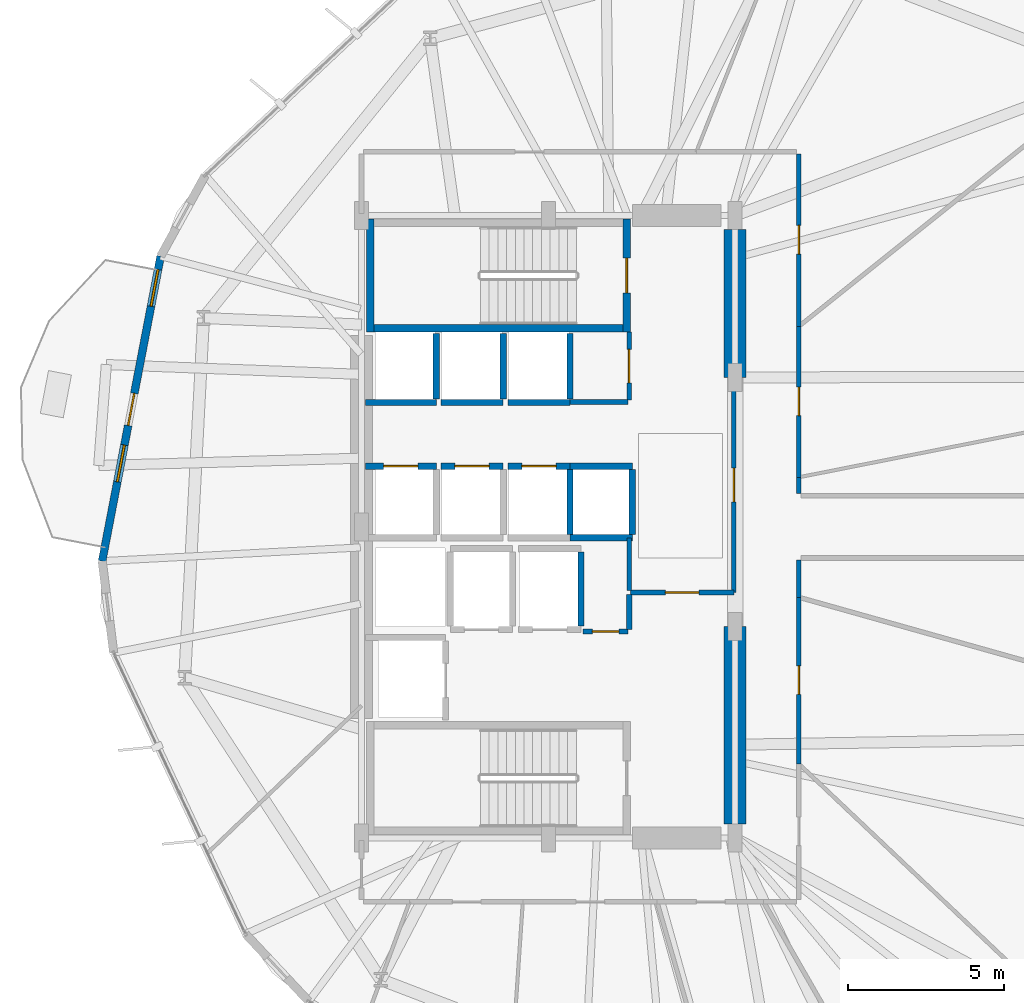
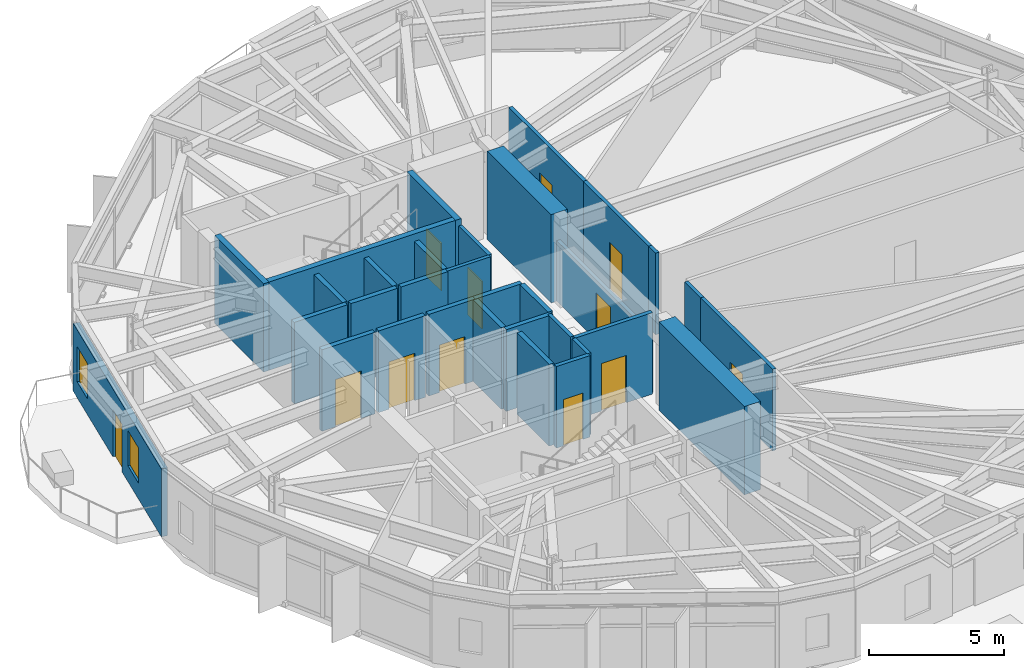
# One storey, part 17 of 22: 32 walls, 12 doors, 2 windows, 14 openings.
"""IFC4 building model written with IfcOpenShell, lengths in metres."""

from ifc_helpers import new_model, si_unit, direction, frame, frame_2d, origin, place, context, subcontext, project, spatial, rectangle, extrude, material, layer, layer_set, type_object, element, fill, save


model = new_model("IFC4")

# Units and contexts
model_context = context("Model", 3, precision=1e-05, world=origin(), true_north=direction((0.0, 1.0)))
body_context = subcontext(model_context, "Body", "Model", "MODEL_VIEW")
ifc_project = project(units=[si_unit("LENGTHUNIT", "METRE"), si_unit("AREAUNIT", "SQUARE_METRE"), si_unit("VOLUMEUNIT", "CUBIC_METRE"), si_unit("PLANEANGLEUNIT", "RADIAN"), si_unit("MASSUNIT", "GRAM", prefix="KILO")], contexts=[model_context])

# Site, building, storey
site_placement = place(None, origin())
site = spatial("IfcSite", under=ifc_project, at=site_placement, CompositionType="ELEMENT")
building_placement = place(site_placement, origin())
building = spatial("IfcBuilding", under=site, at=building_placement, Name="Soratama Intermodal Tower", CompositionType="ELEMENT")
storey_placement = place(building_placement, frame((0.0, 0.0, 54.60009765625)))
storey = spatial("IfcBuildingStorey", under=building, at=storey_placement, Name="L12", CompositionType="ELEMENT", Elevation=54.60009765625)

# Wall, openings, door, windows
ifc_material_1 = material(Name="Concrete f'c 42 MPa", Category="concrete")
ifc_layer_1 = layer(ifc_material_1, 0.25)
ifc_layer_set_1 = layer_set([ifc_layer_1], Name="Concrete f'c 42 MPa")
wall_type_1 = type_object("IfcWallType", Name="EW-BAL-250", PredefinedType="SOLIDWALL", material=ifc_layer_set_1)
wall_1_placement = place(storey_placement, frame((26.144775390625, 33.69775390625, 0.0), z_axis=(0.0, 0.0, 1.0), x_axis=(-0.188408183865, -0.982090808557, 0.0)))
wall_1 = element("IfcWall", 1, at=wall_1_placement, inside=storey, type_object=wall_type_1, Name="L12 Terrace Wall F05", PredefinedType="SOLIDWALL", context=body_context, shape_type="SweptSolid", body=[
    extrude(rectangle(XDim=9.97900390625, YDim=0.25, at=frame_2d((4.989501953125, 0.0))), origin(), (0.0, 0.0, 1.0), 3.078857421875),
])
opening_1_placement = place(wall_1_placement, frame((4.489501953125, 0.0, 0.0)))
opening_1 = element("IfcOpeningElement", 2, at=opening_1_placement, cuts=wall_1, Name="Opening ED-5", PredefinedType="OPENING", context=body_context, shape_type="SweptSolid", body=[
    extrude(rectangle(XDim=1.050048828125, YDim=2.14990234375, at=frame_2d((0.52490234375, 1.074951171875))), frame((0.0, 0.135009765625, 0.0), z_axis=(0.0, -1.0, 0.0), x_axis=(1.0, 0.0, 0.0)), (0.0, 0.0, 1.0), 0.27001953125),
])
opening_2_placement = place(wall_1_placement, frame((0.43994140625, 0.0, 0.719970703125)))
opening_2 = element("IfcOpeningElement", 3, at=opening_2_placement, cuts=wall_1, Name="Opening WN-2", PredefinedType="OPENING", context=body_context, shape_type="SweptSolid", body=[
    extrude(rectangle(XDim=1.199951171875, YDim=1.60009765625, at=frame_2d((0.60009765625, 0.800048828125))), frame((0.0, 0.135009765625, 0.0), z_axis=(0.0, -1.0, 0.0), x_axis=(1.0, 0.0, 0.0)), (0.0, 0.0, 1.0), 0.27001953125),
])
opening_3_placement = place(wall_1_placement, frame((6.179443359375, 0.0, 0.719970703125)))
opening_3 = element("IfcOpeningElement", 4, at=opening_3_placement, cuts=wall_1, Name="Opening WN-2", PredefinedType="OPENING", context=body_context, shape_type="SweptSolid", body=[
    extrude(rectangle(XDim=1.199951171875, YDim=1.60009765625, at=frame_2d((0.60009765625, 0.800048828125))), frame((0.0, 0.135009765625, 0.0), z_axis=(0.0, -1.0, 0.0), x_axis=(1.0, 0.0, 0.0)), (0.0, 0.0, 1.0), 0.27001953125),
])
ifc_material_2 = material(Name="Double-glazed aluminium door", Category="aluminium")
door_type_1 = type_object("IfcDoorType", Name="DR-BAL-1050", OperationType="NOTDEFINED", PredefinedType="DOOR", material=ifc_material_2)
door_1_placement = place(opening_1_placement, origin())
door_1 = element("IfcDoor", 5, at=door_1_placement, inside=storey, type_object=door_type_1, Name="L12 Balcony Door F05", OperationType="SINGLE_SWING_LEFT", OverallHeight=2.14990234375, OverallWidth=1.050048828125, PredefinedType="DOOR", context=body_context, shape_type="SweptSolid", body=[
    extrude(rectangle(XDim=1.050048828125, YDim=2.14990234375, at=frame_2d((0.52490234375, 1.074951171875))), frame((0.0, 0.02490234375, 0.0), z_axis=(0.0, -1.0, 0.0), x_axis=(1.0, 0.0, 0.0)), (0.0, 0.0, 1.0), 0.050048828125),
])
fill(opening_1, door_1)
ifc_material_3 = material(Name="Double-glazed aluminium window", Category="aluminium")
window_type = type_object("IfcWindowType", Name="WN-FAC-1200", PartitioningType="SINGLE_PANEL", PredefinedType="WINDOW", material=ifc_material_3)
window_1_placement = place(opening_2_placement, origin())
window_1 = element("IfcWindow", 6, at=window_1_placement, inside=storey, type_object=window_type, Name="L12 Window A F05", OverallHeight=1.60009765625, OverallWidth=1.199951171875, PartitioningType="SINGLE_PANEL", PredefinedType="WINDOW", context=body_context, shape_type="SweptSolid", body=[
    extrude(rectangle(XDim=1.199951171875, YDim=1.60009765625, at=frame_2d((0.60009765625, 0.800048828125))), frame((0.0, 0.030029296875, 0.0), z_axis=(0.0, -1.0, 0.0), x_axis=(1.0, 0.0, 0.0)), (0.0, 0.0, 1.0), 0.06005859375),
])
fill(opening_2, window_1)
window_2_placement = place(opening_3_placement, origin())
window_2 = element("IfcWindow", 7, at=window_2_placement, inside=storey, type_object=window_type, Name="L12 Window B F05", OverallHeight=1.60009765625, OverallWidth=1.199951171875, PartitioningType="SINGLE_PANEL", PredefinedType="WINDOW", context=body_context, shape_type="SweptSolid", body=[
    extrude(rectangle(XDim=1.199951171875, YDim=1.60009765625, at=frame_2d((0.60009765625, 0.800048828125))), frame((0.0, 0.030029296875, 0.0), z_axis=(0.0, -1.0, 0.0), x_axis=(1.0, 0.0, 0.0)), (0.0, 0.0, 1.0), 0.06005859375),
])
fill(opening_3, window_2)

# Wall, opening, door
ifc_material_4 = material(Name="Fire-rated gypsum stud partition", Category="concrete")
ifc_layer_2 = layer(ifc_material_4, 0.14990234375)
ifc_layer_set_2 = layer_set([ifc_layer_2], Name="Fire-rated gypsum stud partition")
wall_type_2 = type_object("IfcWallType", Name="IW-PART-R150", PredefinedType="PARTITIONING", material=ifc_layer_set_2)
wall_2_placement = place(storey_placement, frame((44.56005859375, 29.800048828125, 0.0), z_axis=(0.0, 0.0, 1.0), x_axis=(0.0, -1.0, 0.0)))
wall_2 = element("IfcWall", 8, at=wall_2_placement, inside=storey, type_object=wall_type_2, Name="L12 Partition W-L12-TP011", PredefinedType="PARTITIONING", context=body_context, shape_type="SweptSolid", body=[
    extrude(rectangle(XDim=6.91015625, YDim=0.14990234375, at=frame_2d((3.455078125, 0.0))), origin(), (0.0, 0.0, 1.0), 2.739990234375),
])
opening_4_placement = place(wall_2_placement, frame((2.9150390625, 0.0, 0.0)))
opening_4 = element("IfcOpeningElement", 9, at=opening_4_placement, cuts=wall_2, Name="Opening ID-1", PredefinedType="OPENING", context=body_context, shape_type="SweptSolid", body=[
    extrude(rectangle(XDim=1.080078125, YDim=2.14990234375, at=frame_2d((0.5400390625, 1.074951171875))), frame((0.0, 0.0849609375, 0.0), z_axis=(0.0, -1.0, 0.0), x_axis=(1.0, 0.0, 0.0)), (0.0, 0.0, 1.0), 0.169921875),
])
ifc_material_5 = material(Name="Solid hardwood acoustic door", Category="wood")
door_type_2 = type_object("IfcDoorType", Name="DR-LOB-FD60", OperationType="NOTDEFINED", PredefinedType="DOOR", material=ifc_material_5)
door_2_placement = place(opening_4_placement, origin())
door_2 = element("IfcDoor", 10, at=door_2_placement, inside=storey, type_object=door_type_2, Name="L12 Door D-L12-TP004", OperationType="SINGLE_SWING_LEFT", OverallHeight=2.14990234375, OverallWidth=1.080078125, PredefinedType="DOOR", context=body_context, shape_type="SweptSolid", body=[
    extrude(rectangle(XDim=1.080078125, YDim=2.14990234375, at=frame_2d((0.5400390625, 1.074951171875))), frame((0.0, 0.02490234375, 0.0), z_axis=(0.0, -1.0, 0.0), x_axis=(1.0, 0.0, 0.0)), (0.0, 0.0, 1.0), 0.050048828125),
])
fill(opening_4, door_2)

wall_3_placement = place(storey_placement, frame((46.64990234375, 36.97998046875, 0.0), z_axis=(0.0, 0.0, 1.0), x_axis=(0.0, -1.0, 0.0)))
wall_3 = element("IfcWall", 11, at=wall_3_placement, inside=storey, type_object=wall_type_2, Name="L12 Partition W-L12-TP014", PredefinedType="PARTITIONING", context=body_context, shape_type="SweptSolid", body=[
    extrude(rectangle(XDim=5.5380859375, YDim=0.14990234375, at=frame_2d((2.76904296875, 0.0))), origin(), (0.0, 0.0, 1.0), 3.699951171875),
])
opening_5_placement = place(wall_3_placement, frame((2.2939453125, 0.0, 0.0)))
opening_5 = element("IfcOpeningElement", 12, at=opening_5_placement, cuts=wall_3, Name="Opening ID-6", PredefinedType="OPENING", context=body_context, shape_type="SweptSolid", body=[
    extrude(rectangle(XDim=0.919921875, YDim=2.1201171875, at=frame_2d((0.4599609375, 1.06005859375))), frame((0.0, 0.0849609375, 0.0), z_axis=(0.0, -1.0, 0.0), x_axis=(1.0, 0.0, 0.0)), (0.0, 0.0, 1.0), 0.169921875),
])
ifc_material_6 = material(Name="Solid hardwood acoustic door", Category="wood")
door_type_3 = type_object("IfcDoorType", Name="DR-ROOM-920", OperationType="NOTDEFINED", PredefinedType="DOOR", material=ifc_material_6)
door_3_placement = place(opening_5_placement, origin())
door_3 = element("IfcDoor", 13, at=door_3_placement, inside=storey, type_object=door_type_3, Name="L12 Door D-L12-TP005", OperationType="SINGLE_SWING_RIGHT", OverallHeight=2.1201171875, OverallWidth=0.919921875, PredefinedType="DOOR", context=body_context, shape_type="SweptSolid", body=[
    extrude(rectangle(XDim=0.919921875, YDim=2.1201171875, at=frame_2d((0.4599609375, 1.06005859375))), frame((0.0, 0.02490234375, 0.0), z_axis=(0.0, -1.0, 0.0), x_axis=(1.0, 0.0, 0.0)), (0.0, 0.0, 1.0), 0.050048828125),
])
fill(opening_5, door_3)

wall_4_placement = place(storey_placement, frame((46.64990234375, 22.738037109375, 0.0), z_axis=(0.0, 0.0, 1.0), x_axis=(0.0, -1.0, 0.0)))
wall_4 = element("IfcWall", 14, at=wall_4_placement, inside=storey, type_object=wall_type_2, Name="L12 Partition W-L12-TP015", PredefinedType="PARTITIONING", context=body_context, shape_type="SweptSolid", body=[
    extrude(rectangle(XDim=5.35302734375, YDim=0.14990234375, at=frame_2d((2.676513671875, 0.0))), origin(), (0.0, 0.0, 1.0), 3.699951171875),
])
opening_6_placement = place(wall_4_placement, frame((2.200927734375, 0.0, 0.0)))
opening_6 = element("IfcOpeningElement", 15, at=opening_6_placement, cuts=wall_4, Name="Opening ID-6", PredefinedType="OPENING", context=body_context, shape_type="SweptSolid", body=[
    extrude(rectangle(XDim=0.919921875, YDim=2.1201171875, at=frame_2d((0.4599609375, 1.06005859375))), frame((0.0, 0.0849609375, 0.0), z_axis=(0.0, -1.0, 0.0), x_axis=(1.0, 0.0, 0.0)), (0.0, 0.0, 1.0), 0.169921875),
])
door_4_placement = place(opening_6_placement, origin())
door_4 = element("IfcDoor", 16, at=door_4_placement, inside=storey, type_object=door_type_3, Name="L12 Door D-L12-TP006", OperationType="SINGLE_SWING_LEFT", OverallHeight=2.1201171875, OverallWidth=0.919921875, PredefinedType="DOOR", context=body_context, shape_type="SweptSolid", body=[
    extrude(rectangle(XDim=0.919921875, YDim=2.1201171875, at=frame_2d((0.4599609375, 1.06005859375))), frame((0.0, 0.02490234375, 0.0), z_axis=(0.0, -1.0, 0.0), x_axis=(1.0, 0.0, 0.0)), (0.0, 0.0, 1.0), 0.050048828125),
])
fill(opening_6, door_4)

wall_5_placement = place(storey_placement, frame((46.64990234375, 31.44189453125, 0.0), z_axis=(0.0, 0.0, 1.0), x_axis=(0.0, -1.0, 0.0)))
wall_5 = element("IfcWall", 17, at=wall_5_placement, inside=storey, type_object=wall_type_2, Name="L12 Partition W-L12-TP016", PredefinedType="PARTITIONING", context=body_context, shape_type="SweptSolid", body=[
    extrude(rectangle(XDim=4.848876953125, YDim=0.14990234375, at=frame_2d((2.42431640625, 0.0))), origin(), (0.0, 0.0, 1.0), 3.699951171875),
])
opening_7_placement = place(wall_5_placement, frame((1.949951171875, 0.0, 0.0)))
opening_7 = element("IfcOpeningElement", 18, at=opening_7_placement, cuts=wall_5, Name="Opening ID-6", PredefinedType="OPENING", context=body_context, shape_type="SweptSolid", body=[
    extrude(rectangle(XDim=0.919921875, YDim=2.1201171875, at=frame_2d((0.4599609375, 1.06005859375))), frame((0.0, 0.0849609375, 0.0), z_axis=(0.0, -1.0, 0.0), x_axis=(1.0, 0.0, 0.0)), (0.0, 0.0, 1.0), 0.169921875),
])
door_5_placement = place(opening_7_placement, origin())
door_5 = element("IfcDoor", 19, at=door_5_placement, inside=storey, type_object=door_type_3, Name="L12 Door D-L12-TP007", OperationType="SINGLE_SWING_RIGHT", OverallHeight=2.1201171875, OverallWidth=0.919921875, PredefinedType="DOOR", context=body_context, shape_type="SweptSolid", body=[
    extrude(rectangle(XDim=0.919921875, YDim=2.1201171875, at=frame_2d((0.4599609375, 1.06005859375))), frame((0.0, 0.02490234375, 0.0), z_axis=(0.0, -1.0, 0.0), x_axis=(1.0, 0.0, 0.0)), (0.0, 0.0, 1.0), 0.050048828125),
])
fill(opening_7, door_5)

wall_6_placement = place(storey_placement, frame((41.199951171875, 29.070068359375, 0.0), z_axis=(0.0, 0.0, 1.0), x_axis=(0.0, 1.0, 0.0)))
wall_6 = element("IfcWall", 20, at=wall_6_placement, inside=storey, type_object=wall_type_2, Name="L12 Partition W-L12-TP024", PredefinedType="PARTITIONING", context=body_context, shape_type="SweptSolid", body=[
    extrude(rectangle(XDim=2.18994140625, YDim=0.14990234375, at=frame_2d((1.094970703125, 0.0))), origin(), (0.0, 0.0, 1.0), 3.699951171875),
])
opening_8_placement = place(wall_6_placement, frame((0.554931640625, 0.0, 0.0)))
opening_8 = element("IfcOpeningElement", 21, at=opening_8_placement, cuts=wall_6, Name="Opening ID-1", PredefinedType="OPENING", context=body_context, shape_type="SweptSolid", body=[
    extrude(rectangle(XDim=1.080078125, YDim=2.14990234375, at=frame_2d((0.5400390625, 1.074951171875))), frame((0.0, 0.0849609375, 0.0), z_axis=(0.0, -1.0, 0.0), x_axis=(1.0, 0.0, 0.0)), (0.0, 0.0, 1.0), 0.169921875),
])
door_6_placement = place(opening_8_placement, origin())
door_6 = element("IfcDoor", 22, at=door_6_placement, inside=storey, type_object=door_type_2, Name="L12 Door D-L12-TP013", OperationType="SINGLE_SWING_RIGHT", OverallHeight=2.14990234375, OverallWidth=1.080078125, PredefinedType="DOOR", context=body_context, shape_type="SweptSolid", body=[
    extrude(rectangle(XDim=1.080078125, YDim=2.14990234375, at=frame_2d((0.5400390625, 1.074951171875))), frame((0.0, 0.02490234375, 0.0), z_axis=(0.0, -1.0, 0.0), x_axis=(1.0, 0.0, 0.0)), (0.0, 0.0, 1.0), 0.050048828125),
])
fill(opening_8, door_6)

# Walls
wall_7_placement = place(storey_placement, frame((39.300048828125, 29.010009765625, 0.0), z_axis=(0.0, 0.0, 1.0), x_axis=(1.0, 0.0, 0.0)))
element("IfcWall", 23, at=wall_7_placement, inside=storey, type_object=wall_type_2, Name="L12 Partition W-L12-TP027", PredefinedType="PARTITIONING", context=body_context, shape_type="SweptSolid", body=[
    extrude(rectangle(XDim=1.85986328125, YDim=0.14990234375, at=frame_2d((0.929931640625, 0.0))), origin(), (0.0, 0.0, 1.0), 3.699951171875),
])
wall_8_placement = place(storey_placement, frame((41.199951171875, 22.9599609375, 0.0), z_axis=(0.0, 0.0, 1.0), x_axis=(0.0, 1.0, 0.0)))
element("IfcWall", 24, at=wall_8_placement, inside=storey, type_object=wall_type_2, Name="L12 Partition W-L12-TP028", PredefinedType="PARTITIONING", context=body_context, shape_type="SweptSolid", body=[
    extrude(rectangle(XDim=1.68994140625, YDim=0.14990234375, at=frame_2d((0.844970703125, 0.0))), origin(), (0.0, 0.0, 1.0), 3.699951171875),
])
wall_9_placement = place(storey_placement, frame((46.64990234375, 23.929931640625, 0.0), z_axis=(0.0, 0.0, 1.0), x_axis=(0.0, -1.0, 0.0)))
element("IfcWall", 25, at=wall_9_placement, inside=storey, type_object=wall_type_2, Name="L12 Partition W-L12-TP031", PredefinedType="PARTITIONING", context=body_context, shape_type="SweptSolid", body=[
    extrude(rectangle(XDim=1.19189453125, YDim=0.14990234375, at=frame_2d((0.595947265625, 0.0))), origin(), (0.0, 0.0, 1.0), 3.699951171875),
])
wall_10_placement = place(storey_placement, frame((46.64990234375, 26.593017578125, 0.0), z_axis=(0.0, 0.0, 1.0), x_axis=(0.0, -1.0, 0.0)))
element("IfcWall", 26, at=wall_10_placement, inside=storey, type_object=wall_type_2, Name="L12 Partition W-L12-TP034", PredefinedType="PARTITIONING", context=body_context, shape_type="SweptSolid", body=[
    extrude(rectangle(XDim=0.52294921875, YDim=0.14990234375, at=frame_2d((0.261474609375, 0.0))), origin(), (0.0, 0.0, 1.0), 3.699951171875),
])

# Wall, opening, door
ifc_material_7 = material(Name="Fire-rated gypsum stud partition", Category="concrete")
ifc_layer_3 = layer(ifc_material_7, 0.169921875)
ifc_layer_set_3 = layer_set([ifc_layer_3], Name="Fire-rated gypsum stud partition")
wall_type_3 = type_object("IfcWallType", Name="IW-PART-R170", PredefinedType="PARTITIONING", material=ifc_layer_set_3)
wall_11_placement = place(storey_placement, frame((41.239990234375, 22.889892578125, 0.0), z_axis=(0.0, 0.0, 1.0), x_axis=(1.0, 0.0, 0.0)))
wall_11 = element("IfcWall", 27, at=wall_11_placement, inside=storey, type_object=wall_type_3, Name="L12 Partition W-L12-TP022", PredefinedType="PARTITIONING", context=body_context, shape_type="SweptSolid", body=[
    extrude(rectangle(XDim=3.320068359375, YDim=0.169921875, at=frame_2d((1.66015625, 0.0))), origin(), (0.0, 0.0, 1.0), 3.699951171875),
])
opening_9_placement = place(wall_11_placement, frame((1.1201171875, 0.0, 0.0)))
opening_9 = element("IfcOpeningElement", 28, at=opening_9_placement, cuts=wall_11, Name="Opening ID-0", PredefinedType="OPENING", context=body_context, shape_type="SweptSolid", body=[
    extrude(rectangle(XDim=1.080078125, YDim=2.14990234375, at=frame_2d((0.5400390625, 1.074951171875))), frame((0.0, 0.094970703125, 0.0), z_axis=(0.0, -1.0, 0.0), x_axis=(1.0, 0.0, 0.0)), (0.0, 0.0, 1.0), 0.18994140625),
])
ifc_material_8 = material(Name="Solid hardwood acoustic door", Category="wood")
door_type_4 = type_object("IfcDoorType", Name="DR-LOB-FD90", OperationType="NOTDEFINED", PredefinedType="DOOR", material=ifc_material_8)
door_7_placement = place(opening_9_placement, origin())
door_7 = element("IfcDoor", 29, at=door_7_placement, inside=storey, type_object=door_type_4, Name="L12 Door D-L12-TP012", OperationType="SINGLE_SWING_LEFT", OverallHeight=2.14990234375, OverallWidth=1.080078125, PredefinedType="DOOR", context=body_context, shape_type="SweptSolid", body=[
    extrude(rectangle(XDim=1.080078125, YDim=2.14990234375, at=frame_2d((0.5400390625, 1.074951171875))), frame((0.0, 0.02490234375, 0.0), z_axis=(0.0, -1.0, 0.0), x_axis=(1.0, 0.0, 0.0)), (0.0, 0.0, 1.0), 0.050048828125),
])
fill(opening_9, door_7)

wall_12_placement = place(storey_placement, frame((39.719970703125, 21.639892578125, 0.0), z_axis=(0.0, 0.0, 1.0), x_axis=(1.0, 0.0, 0.0)))
wall_12 = element("IfcWall", 30, at=wall_12_placement, inside=storey, type_object=wall_type_3, Name="L12 Partition W-L12-TP030", PredefinedType="PARTITIONING", context=body_context, shape_type="SweptSolid", body=[
    extrude(rectangle(XDim=1.43994140625, YDim=0.169921875, at=frame_2d((0.719970703125, 0.0))), origin(), (0.0, 0.0, 1.0), 3.699951171875),
])
opening_10_placement = place(wall_12_placement, frame((0.294921875, 0.0, 0.0)))
opening_10 = element("IfcOpeningElement", 31, at=opening_10_placement, cuts=wall_12, Name="Opening ID-4", PredefinedType="OPENING", context=body_context, shape_type="SweptSolid", body=[
    extrude(rectangle(XDim=0.85009765625, YDim=2.10009765625, at=frame_2d((0.425048828125, 1.050048828125))), frame((0.0, 0.094970703125, 0.0), z_axis=(0.0, -1.0, 0.0), x_axis=(1.0, 0.0, 0.0)), (0.0, 0.0, 1.0), 0.18994140625),
])
ifc_material_9 = material(Name="Solid hardwood acoustic door", Category="wood")
door_type_5 = type_object("IfcDoorType", Name="DR-BATH-850", OperationType="NOTDEFINED", PredefinedType="DOOR", material=ifc_material_9)
door_8_placement = place(opening_10_placement, origin())
door_8 = element("IfcDoor", 32, at=door_8_placement, inside=storey, type_object=door_type_5, Name="L12 Door D-L12-TP015", OperationType="SINGLE_SWING_RIGHT", OverallHeight=2.10009765625, OverallWidth=0.85009765625, PredefinedType="DOOR", context=body_context, shape_type="SweptSolid", body=[
    extrude(rectangle(XDim=0.85009765625, YDim=2.10009765625, at=frame_2d((0.425048828125, 1.050048828125))), frame((0.0, 0.02490234375, 0.0), z_axis=(0.0, -1.0, 0.0), x_axis=(1.0, 0.0, 0.0)), (0.0, 0.0, 1.0), 0.050048828125),
])
fill(opening_10, door_8)

# Walls
wall_13_placement = place(storey_placement, frame((41.199951171875, 21.699951171875, 0.0), z_axis=(0.0, 0.0, 1.0), x_axis=(0.0, 1.0, 0.0)))
element("IfcWall", 33, at=wall_13_placement, inside=storey, type_object=wall_type_3, Name="L12 Partition W-L12-TP032", PredefinedType="PARTITIONING", context=body_context, shape_type="SweptSolid", body=[
    extrude(rectangle(XDim=1.1201171875, YDim=0.169921875, at=frame_2d((0.56005859375, 0.0))), origin(), (0.0, 0.0, 1.0), 3.699951171875),
])
ifc_material_10 = material(Name="Concrete f'c 42 MPa", Category="concrete")
ifc_layer_4 = layer(ifc_material_10, 0.199951171875)
ifc_layer_set_4 = layer_set([ifc_layer_4], Name="Concrete f'c 42 MPa")
wall_type_4 = type_object("IfcWallType", Name="IW-SHAFT-200", PredefinedType="SOLIDWALL", material=ifc_layer_set_4)
wall_14_placement = place(storey_placement, frame((39.64990234375, 21.81005859375, 0.0), z_axis=(0.0, 0.0, 1.0), x_axis=(0.0, 1.0, 0.0)))
element("IfcWall", 34, at=wall_14_placement, inside=storey, type_object=wall_type_4, Name="L12 FFL-2 Hoistway Wall E", PredefinedType="SOLIDWALL", context=body_context, shape_type="SweptSolid", body=[
    extrude(rectangle(XDim=2.3798828125, YDim=0.199951171875, at=frame_2d((1.18994140625, 0.0))), origin(), (0.0, 0.0, 1.0), 3.699951171875),
])

# Wall, opening, door
wall_15_placement = place(storey_placement, frame((32.719970703125, 26.949951171875, 0.0), z_axis=(0.0, 0.0, 1.0), x_axis=(1.0, 0.0, 0.0)))
wall_15 = element("IfcWall", 35, at=wall_15_placement, inside=storey, type_object=wall_type_4, Name="L12 PL-L1 Hoistway Wall N", PredefinedType="SOLIDWALL", context=body_context, shape_type="SweptSolid", body=[
    extrude(rectangle(XDim=2.280029296875, YDim=0.199951171875, at=frame_2d((1.14013671875, 0.0))), origin(), (0.0, 0.0, 1.0), 3.699951171875),
])
opening_11_placement = place(wall_15_placement, frame((0.590087890625, 0.0, 0.0)))
opening_11 = element("IfcOpeningElement", 36, at=opening_11_placement, cuts=wall_15, Name="Opening LD-1", PredefinedType="OPENING", context=body_context, shape_type="SweptSolid", body=[
    extrude(rectangle(XDim=1.10009765625, YDim=2.14990234375, at=frame_2d((0.550048828125, 1.074951171875))), frame((0.0, 0.10986328125, 0.0), z_axis=(0.0, -1.0, 0.0), x_axis=(1.0, 0.0, 0.0)), (0.0, 0.0, 1.0), 0.219970703125),
])
ifc_material_11 = material(Name="Steel fire door", Category="steel")
door_type_6 = type_object("IfcDoorType", Name="DR-LIFT-SLIDE", OperationType="NOTDEFINED", PredefinedType="DOOR", material=ifc_material_11)
door_9_placement = place(opening_11_placement, origin())
door_9 = element("IfcDoor", 37, at=door_9_placement, inside=storey, type_object=door_type_6, Name="L12 PL-L1 Sliding Landing Door", OperationType="SLIDING_TO_LEFT", OverallHeight=2.14990234375, OverallWidth=1.10009765625, PredefinedType="DOOR", context=body_context, shape_type="SweptSolid", body=[
    extrude(rectangle(XDim=1.10009765625, YDim=2.14990234375, at=frame_2d((0.550048828125, 1.074951171875))), frame((0.0, 0.02490234375, 0.0), z_axis=(0.0, -1.0, 0.0), x_axis=(1.0, 0.0, 0.0)), (0.0, 0.0, 1.0), 0.050048828125),
])
fill(opening_11, door_9)

wall_16_placement = place(storey_placement, frame((35.14990234375, 26.949951171875, 0.0), z_axis=(0.0, 0.0, 1.0), x_axis=(1.0, 0.0, 0.0)))
wall_16 = element("IfcWall", 38, at=wall_16_placement, inside=storey, type_object=wall_type_4, Name="L12 PL-L2 Hoistway Wall N", PredefinedType="SOLIDWALL", context=body_context, shape_type="SweptSolid", body=[
    extrude(rectangle(XDim=2.0, YDim=0.199951171875, at=frame_2d((1.0, 0.0))), origin(), (0.0, 0.0, 1.0), 3.699951171875),
])
opening_12_placement = place(wall_16_placement, frame((0.449951171875, 0.0, 0.0)))
opening_12 = element("IfcOpeningElement", 39, at=opening_12_placement, cuts=wall_16, Name="Opening LD-1", PredefinedType="OPENING", context=body_context, shape_type="SweptSolid", body=[
    extrude(rectangle(XDim=1.10009765625, YDim=2.14990234375, at=frame_2d((0.550048828125, 1.074951171875))), frame((0.0, 0.10986328125, 0.0), z_axis=(0.0, -1.0, 0.0), x_axis=(1.0, 0.0, 0.0)), (0.0, 0.0, 1.0), 0.219970703125),
])
door_10_placement = place(opening_12_placement, origin())
door_10 = element("IfcDoor", 40, at=door_10_placement, inside=storey, type_object=door_type_6, Name="L12 PL-L2 Sliding Landing Door", OperationType="SLIDING_TO_LEFT", OverallHeight=2.14990234375, OverallWidth=1.10009765625, PredefinedType="DOOR", context=body_context, shape_type="SweptSolid", body=[
    extrude(rectangle(XDim=1.10009765625, YDim=2.14990234375, at=frame_2d((0.550048828125, 1.074951171875))), frame((0.0, 0.02490234375, 0.0), z_axis=(0.0, -1.0, 0.0), x_axis=(1.0, 0.0, 0.0)), (0.0, 0.0, 1.0), 0.050048828125),
])
fill(opening_12, door_10)

wall_17_placement = place(storey_placement, frame((37.300048828125, 26.949951171875, 0.0), z_axis=(0.0, 0.0, 1.0), x_axis=(1.0, 0.0, 0.0)))
wall_17 = element("IfcWall", 41, at=wall_17_placement, inside=storey, type_object=wall_type_4, Name="L12 PL-L3 Hoistway Wall N", PredefinedType="SOLIDWALL", context=body_context, shape_type="SweptSolid", body=[
    extrude(rectangle(XDim=2.0, YDim=0.199951171875, at=frame_2d((1.0, 0.0))), origin(), (0.0, 0.0, 1.0), 3.699951171875),
])
opening_13_placement = place(wall_17_placement, frame((0.449951171875, 0.0, 0.0)))
opening_13 = element("IfcOpeningElement", 42, at=opening_13_placement, cuts=wall_17, Name="Opening LD-1", PredefinedType="OPENING", context=body_context, shape_type="SweptSolid", body=[
    extrude(rectangle(XDim=1.10009765625, YDim=2.14990234375, at=frame_2d((0.550048828125, 1.074951171875))), frame((0.0, 0.10986328125, 0.0), z_axis=(0.0, -1.0, 0.0), x_axis=(1.0, 0.0, 0.0)), (0.0, 0.0, 1.0), 0.219970703125),
])
door_11_placement = place(opening_13_placement, origin())
door_11 = element("IfcDoor", 43, at=door_11_placement, inside=storey, type_object=door_type_6, Name="L12 PL-L3 Sliding Landing Door", OperationType="SLIDING_TO_LEFT", OverallHeight=2.14990234375, OverallWidth=1.10009765625, PredefinedType="DOOR", context=body_context, shape_type="SweptSolid", body=[
    extrude(rectangle(XDim=1.10009765625, YDim=2.14990234375, at=frame_2d((0.550048828125, 1.074951171875))), frame((0.0, 0.02490234375, 0.0), z_axis=(0.0, -1.0, 0.0), x_axis=(1.0, 0.0, 0.0)), (0.0, 0.0, 1.0), 0.050048828125),
])
fill(opening_13, door_11)

# Walls
wall_18_placement = place(storey_placement, frame((39.300048828125, 24.760009765625, 0.0), z_axis=(0.0, 0.0, 1.0), x_axis=(0.0, 1.0, 0.0)))
element("IfcWall", 44, at=wall_18_placement, inside=storey, type_object=wall_type_4, Name="L12 PL-L3 Hoistway Wall E", PredefinedType="SOLIDWALL", context=body_context, shape_type="SweptSolid", body=[
    extrude(rectangle(XDim=2.080078125, YDim=0.199951171875, at=frame_2d((1.0400390625, 0.0))), origin(), (0.0, 0.0, 1.0), 3.699951171875),
])
for number, where, z_axis, x_axis, name in (
    (45, (39.300048828125, 24.64990234375, 0.0), (0.0, 0.0, 1.0), (1.0, 0.0, 0.0), "L12 PL-M1 Hoistway Wall S"),
    (46, (39.300048828125, 26.949951171875, 0.0), (0.0, 0.0, 1.0), (1.0, 0.0, 0.0), "L12 PL-M1 Hoistway Wall N"),
):
    element("IfcWall", number, at=place(storey_placement, frame(where, z_axis=z_axis, x_axis=x_axis)), inside=storey, type_object=wall_type_4, Name=name, PredefinedType="SOLIDWALL", context=body_context, shape_type="SweptSolid", body=[
        extrude(rectangle(XDim=2.0, YDim=0.199951171875, at=frame_2d((1.0, 0.0))), origin(), (0.0, 0.0, 1.0), 3.699951171875),
    ])
wall_19_placement = place(storey_placement, frame((41.300048828125, 24.760009765625, 0.0), z_axis=(0.0, 0.0, 1.0), x_axis=(0.0, 1.0, 0.0)))
element("IfcWall", 47, at=wall_19_placement, inside=storey, type_object=wall_type_4, Name="L12 PL-M1 Hoistway Wall E", PredefinedType="SOLIDWALL", context=body_context, shape_type="SweptSolid", body=[
    extrude(rectangle(XDim=2.080078125, YDim=0.199951171875, at=frame_2d((1.0400390625, 0.0))), origin(), (0.0, 0.0, 1.0), 3.699951171875),
])
wall_20_placement = place(storey_placement, frame((32.719970703125, 29.0, 0.0), z_axis=(0.0, 0.0, 1.0), x_axis=(1.0, 0.0, 0.0)))
element("IfcWall", 48, at=wall_20_placement, inside=storey, type_object=wall_type_4, Name="L12 PL-M2 Hoistway Wall S", PredefinedType="SOLIDWALL", context=body_context, shape_type="SweptSolid", body=[
    extrude(rectangle(XDim=2.280029296875, YDim=0.199951171875, at=frame_2d((1.14013671875, 0.0))), origin(), (0.0, 0.0, 1.0), 3.699951171875),
])
wall_21_placement = place(storey_placement, frame((35.0, 29.110107421875, 0.0), z_axis=(0.0, 0.0, 1.0), x_axis=(0.0, 1.0, 0.0)))
element("IfcWall", 49, at=wall_21_placement, inside=storey, type_object=wall_type_4, Name="L12 PL-M2 Hoistway Wall E", PredefinedType="SOLIDWALL", context=body_context, shape_type="SweptSolid", body=[
    extrude(rectangle(XDim=2.099853515625, YDim=0.199951171875, at=frame_2d((1.0498046875, 0.0))), origin(), (0.0, 0.0, 1.0), 3.699951171875),
])
wall_22_placement = place(storey_placement, frame((35.14990234375, 29.0, 0.0), z_axis=(0.0, 0.0, 1.0), x_axis=(1.0, 0.0, 0.0)))
element("IfcWall", 50, at=wall_22_placement, inside=storey, type_object=wall_type_4, Name="L12 PL-H1 Hoistway Wall S", PredefinedType="SOLIDWALL", context=body_context, shape_type="SweptSolid", body=[
    extrude(rectangle(XDim=2.0, YDim=0.199951171875, at=frame_2d((1.0, 0.0))), origin(), (0.0, 0.0, 1.0), 3.699951171875),
])
wall_23_placement = place(storey_placement, frame((37.14990234375, 29.110107421875, 0.0), z_axis=(0.0, 0.0, 1.0), x_axis=(0.0, 1.0, 0.0)))
element("IfcWall", 51, at=wall_23_placement, inside=storey, type_object=wall_type_4, Name="L12 PL-H1 Hoistway Wall E", PredefinedType="SOLIDWALL", context=body_context, shape_type="SweptSolid", body=[
    extrude(rectangle(XDim=2.099853515625, YDim=0.199951171875, at=frame_2d((1.0498046875, 0.0))), origin(), (0.0, 0.0, 1.0), 3.699951171875),
])
wall_24_placement = place(storey_placement, frame((37.300048828125, 29.0, 0.0), z_axis=(0.0, 0.0, 1.0), x_axis=(1.0, 0.0, 0.0)))
element("IfcWall", 52, at=wall_24_placement, inside=storey, type_object=wall_type_4, Name="L12 PL-H2 Hoistway Wall S", PredefinedType="SOLIDWALL", context=body_context, shape_type="SweptSolid", body=[
    extrude(rectangle(XDim=2.0, YDim=0.199951171875, at=frame_2d((1.0, 0.0))), origin(), (0.0, 0.0, 1.0), 3.699951171875),
])
wall_25_placement = place(storey_placement, frame((39.300048828125, 29.110107421875, 0.0), z_axis=(0.0, 0.0, 1.0), x_axis=(0.0, 1.0, 0.0)))
element("IfcWall", 53, at=wall_25_placement, inside=storey, type_object=wall_type_4, Name="L12 PL-H2 Hoistway Wall E", PredefinedType="SOLIDWALL", context=body_context, shape_type="SweptSolid", body=[
    extrude(rectangle(XDim=2.099853515625, YDim=0.199951171875, at=frame_2d((1.0498046875, 0.0))), origin(), (0.0, 0.0, 1.0), 3.699951171875),
])
ifc_material_12 = material(Name="Concrete f'c 56 MPa", Category="concrete")
ifc_layer_5 = layer(ifc_material_12, 0.699951171875)
ifc_layer_set_5 = layer_set([ifc_layer_5], Name="Concrete f'c 56 MPa")
wall_type_5 = type_object("IfcWallType", Name="SW-CORE-700", PredefinedType="SHEAR", material=ifc_layer_set_5)
wall_26_placement = place(storey_placement, frame((44.60009765625, 15.449951171875, 0.0), z_axis=(0.0, 0.0, 1.0), x_axis=(0.0, 1.0, 0.0)))
element("IfcWall", 54, at=wall_26_placement, inside=storey, type_object=wall_type_5, Name="L12 Core Shear Wall CW-ES", PredefinedType="SHEAR", context=body_context, shape_type="SweptSolid", body=[
    extrude(rectangle(XDim=6.35009765625, YDim=0.699951171875, at=frame_2d((3.175048828125, 0.0))), origin(), (0.0, 0.0, 1.0), 4.0),
])
wall_27_placement = place(storey_placement, frame((44.60009765625, 29.800048828125, 0.0), z_axis=(0.0, 0.0, 1.0), x_axis=(0.0, 1.0, 0.0)))
element("IfcWall", 55, at=wall_27_placement, inside=storey, type_object=wall_type_5, Name="L12 Core Shear Wall CW-EN", PredefinedType="SHEAR", context=body_context, shape_type="SweptSolid", body=[
    extrude(rectangle(XDim=4.75, YDim=0.699951171875, at=frame_2d((2.375, 0.0))), origin(), (0.0, 0.0, 1.0), 4.0),
])
ifc_material_13 = material(Name="Concrete f'c 56 MPa", Category="concrete")
ifc_layer_6 = layer(ifc_material_13, 0.239990234375)
ifc_layer_set_6 = layer_set([ifc_layer_6], Name="Concrete f'c 56 MPa")
wall_type_6 = type_object("IfcWallType", Name="SW-STAIR-240", PredefinedType="SHEAR", material=ifc_layer_set_6)
wall_28_placement = place(storey_placement, frame((32.8798828125, 31.260009765625, 0.0), z_axis=(0.0, 0.0, 1.0), x_axis=(0.0, 1.0, 0.0)))
element("IfcWall", 56, at=wall_28_placement, inside=storey, type_object=wall_type_6, Name="L12 ST-2 Shaft Shear Wall W", PredefinedType="SHEAR", context=body_context, shape_type="SweptSolid", body=[
    extrude(rectangle(XDim=3.6298828125, YDim=0.239990234375, at=frame_2d((1.81494140625, 0.0))), origin(), (0.0, 0.0, 1.0), 4.0),
])

# Wall, opening, door
wall_29_placement = place(storey_placement, frame((41.1201171875, 31.260009765625, 0.0), z_axis=(0.0, 0.0, 1.0), x_axis=(0.0, 1.0, 0.0)))
wall_29 = element("IfcWall", 57, at=wall_29_placement, inside=storey, type_object=wall_type_6, Name="L12 ST-2 Shaft Shear Wall E", PredefinedType="SHEAR", context=body_context, shape_type="SweptSolid", body=[
    extrude(rectangle(XDim=3.6298828125, YDim=0.239990234375, at=frame_2d((1.81494140625, 0.0))), origin(), (0.0, 0.0, 1.0), 4.0),
])
opening_14_placement = place(wall_29_placement, frame((1.2548828125, 0.0, 0.0)))
opening_14 = element("IfcOpeningElement", 58, at=opening_14_placement, cuts=wall_29, Name="Opening SD-1", PredefinedType="OPENING", context=body_context, shape_type="SweptSolid", body=[
    extrude(rectangle(XDim=1.1201171875, YDim=2.14990234375, at=frame_2d((0.56005859375, 1.074951171875))), frame((0.0, 0.1298828125, 0.0), z_axis=(0.0, -1.0, 0.0), x_axis=(1.0, 0.0, 0.0)), (0.0, 0.0, 1.0), 0.260009765625),
])
ifc_material_14 = material(Name="Steel fire door", Category="steel")
door_type_7 = type_object("IfcDoorType", Name="DR-STAIR-FD90", OperationType="NOTDEFINED", PredefinedType="DOOR", material=ifc_material_14)
door_12_placement = place(opening_14_placement, origin())
door_12 = element("IfcDoor", 59, at=door_12_placement, inside=storey, type_object=door_type_7, Name="L12 ST-2 Exit Stair Door", OperationType="SINGLE_SWING_RIGHT", OverallHeight=2.14990234375, OverallWidth=1.1201171875, PredefinedType="DOOR", context=body_context, shape_type="SweptSolid", body=[
    extrude(rectangle(XDim=1.1201171875, YDim=2.14990234375, at=frame_2d((0.56005859375, 1.074951171875))), frame((0.0, 0.02490234375, 0.0), z_axis=(0.0, -1.0, 0.0), x_axis=(1.0, 0.0, 0.0)), (0.0, 0.0, 1.0), 0.050048828125),
])
fill(opening_14, door_12)

# Wall
wall_30_placement = place(storey_placement, frame((33.0, 31.3798828125, 0.0), z_axis=(0.0, 0.0, 1.0), x_axis=(1.0, 0.0, 0.0)))
element("IfcWall", 60, at=wall_30_placement, inside=storey, type_object=wall_type_6, Name="L12 ST-2 Shaft Shear Wall S", PredefinedType="SHEAR", context=body_context, shape_type="SweptSolid", body=[
    extrude(rectangle(XDim=8.0, YDim=0.239990234375, at=frame_2d((4.0, 0.0))), origin(), (0.0, 0.0, 1.0), 4.0),
])

save(model, "model.ifc")
